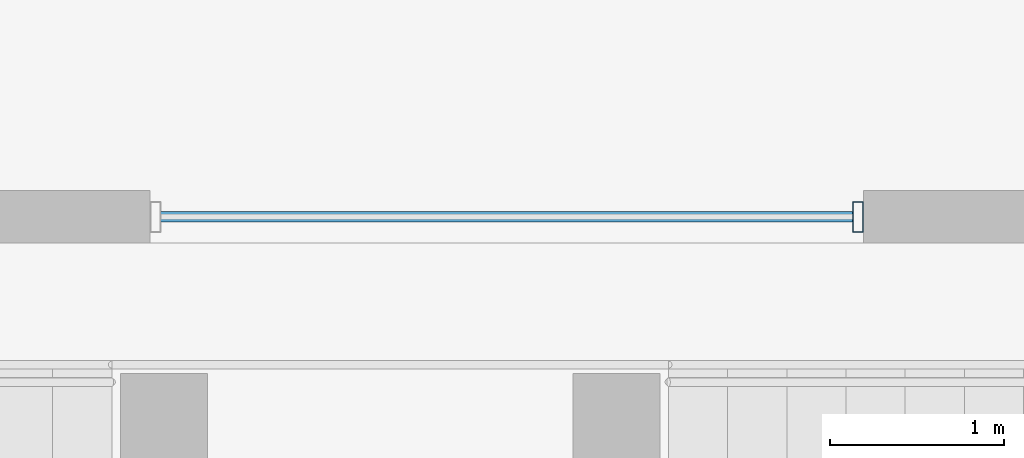
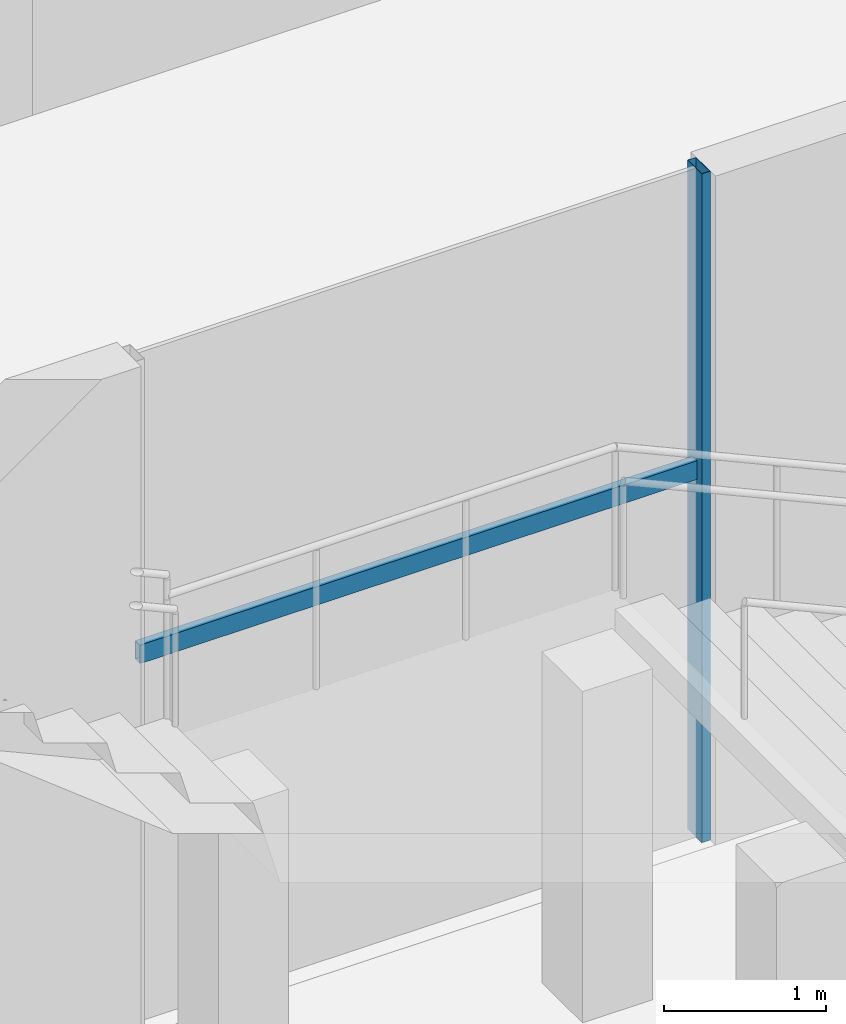
# One storey, part 8 of 47: 2 members, 1 element without a shape of its own.
"""IFC4 building model written with IfcOpenShell, lengths in metres."""

from ifc_helpers import new_model, si_unit, direction, frame, origin, origin_2d, place, context, subcontext, project, spatial, hollow_rectangle, extrude, material, material_profile, profile_set, type_object, element, aggregate, save


model = new_model("IFC4")

# Units and contexts
model_context = context("Model", 3, precision=1e-05, world=origin(), true_north=direction((0.0, 1.0)))
body_context = subcontext(model_context, "Body", "Model", "MODEL_VIEW")
ifc_project = project(units=[si_unit("LENGTHUNIT", "METRE"), si_unit("AREAUNIT", "SQUARE_METRE"), si_unit("VOLUMEUNIT", "CUBIC_METRE"), si_unit("PLANEANGLEUNIT", "RADIAN"), si_unit("MASSUNIT", "GRAM", prefix="KILO")], contexts=[model_context])

# Site, building, storey
site_placement = place(None, origin())
site = spatial("IfcSite", under=ifc_project, at=site_placement, CompositionType="ELEMENT")
building_placement = place(site_placement, origin())
building = spatial("IfcBuilding", under=site, at=building_placement, Name="Altepetl Exchange Towers", CompositionType="ELEMENT")
storey_placement = place(building_placement, frame((0.0, 0.0, 6.0)))
storey = spatial("IfcBuildingStorey", under=building, at=storey_placement, Name="L01 Retail podium", CompositionType="ELEMENT", Elevation=6.0)

# Curtain wall, members
ifc_material_1 = material(Name="Aluminium 6063-T6 glazing", Category="aluminium")
curtain_wall_type = type_object("IfcCurtainWallType", Name="Podium storefront system", PredefinedType="NOTDEFINED", material=ifc_material_1)
curtain_wall_placement = place(storey_placement, origin())
curtain_wall = element("IfcCurtainWall", 1, at=curtain_wall_placement, inside=storey, type_object=curtain_wall_type, Name="CW5 run", PredefinedType="NOTDEFINED")
ifc_material_2 = material(Name="Aluminium 6063-T6", Category="aluminium")
ifc_material_profile_1 = material_profile(ifc_material_2, hollow_rectangle(XDim=0.06005859375, YDim=0.175048828125, WallThickness=0.0029296875, at=origin_2d()), Name="Mullion 60x175 aluminium")
ifc_profile_set_1 = profile_set([ifc_material_profile_1], Name="Aluminium 6063-T6")
member_type_1 = type_object("IfcMemberType", Name="Mullion 60x175 aluminium", PredefinedType="MULLION", material=ifc_profile_set_1)
member_1_placement = place(storey_placement, frame((112.27001953125, 9.14990234375, 0.0)))
member_1 = element("IfcMember", 2, at=member_1_placement, type_object=member_type_1, Name="MU4 mullion", PredefinedType="MULLION", context=body_context, shape_type="SweptSolid", body=[
    extrude(hollow_rectangle(XDim=0.06005859375, YDim=0.175048828125, WallThickness=0.0029296875, at=origin_2d()), origin(), (0.0, 0.0, 1.0), 5.050048828125),
])
ifc_material_profile_2 = material_profile(ifc_material_2, hollow_rectangle(XDim=0.06005859375, YDim=0.139892578125, WallThickness=0.0029296875, at=origin_2d()), Name="Transom 60x140 aluminium")
ifc_profile_set_2 = profile_set([ifc_material_profile_2], Name="Aluminium 6063-T6")
member_type_2 = type_object("IfcMemberType", Name="Transom 60x140 aluminium", PredefinedType="USERDEFINED", material=ifc_profile_set_2)
member_2_placement = place(storey_placement, frame((108.260009765625, 9.14990234375, 2.780029296875), z_axis=(1.0, 0.0, 0.0), x_axis=(0.0, 1.0, 0.0)))
member_2 = element("IfcMember", 3, at=member_2_placement, type_object=member_type_2, Name="TR3 transom", ObjectType="TRANSOM", PredefinedType="USERDEFINED", context=body_context, shape_type="SweptSolid", body=[
    extrude(hollow_rectangle(XDim=0.06005859375, YDim=0.139892578125, WallThickness=0.0029296875, at=origin_2d()), origin(), (0.0, 0.0, 1.0), 3.97998046875),
])
aggregate(curtain_wall, [member_1, member_2])

save(model, "model.ifc")
